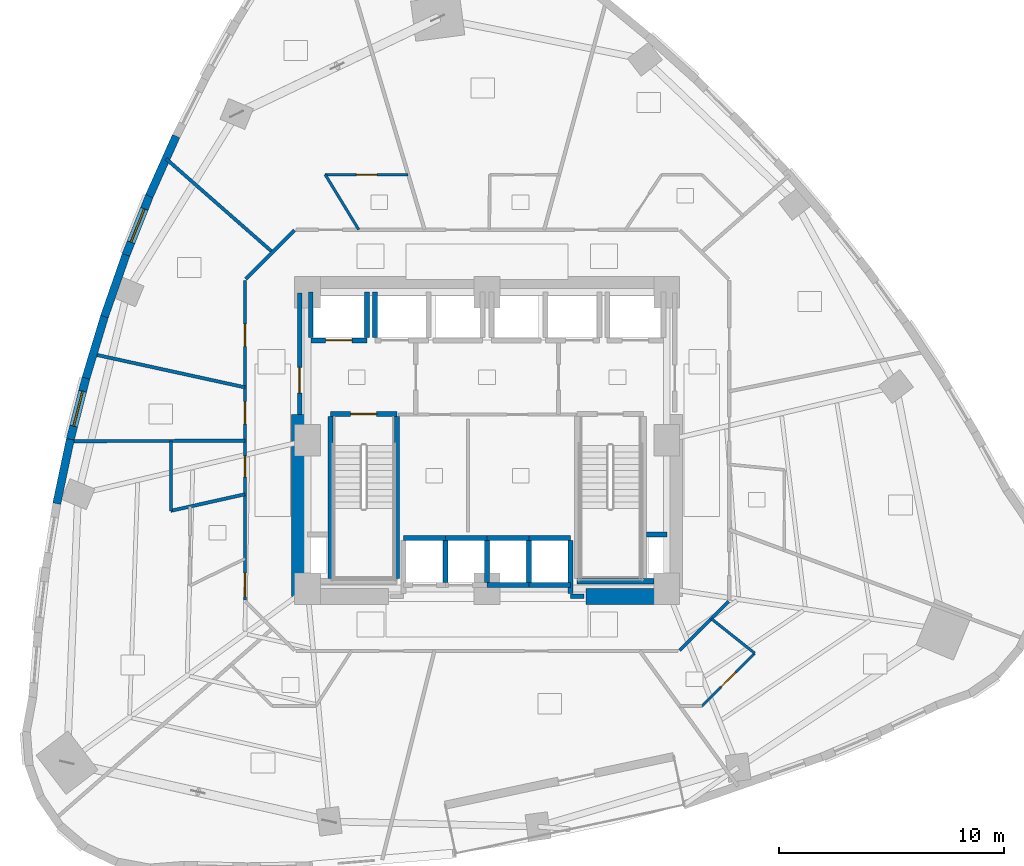
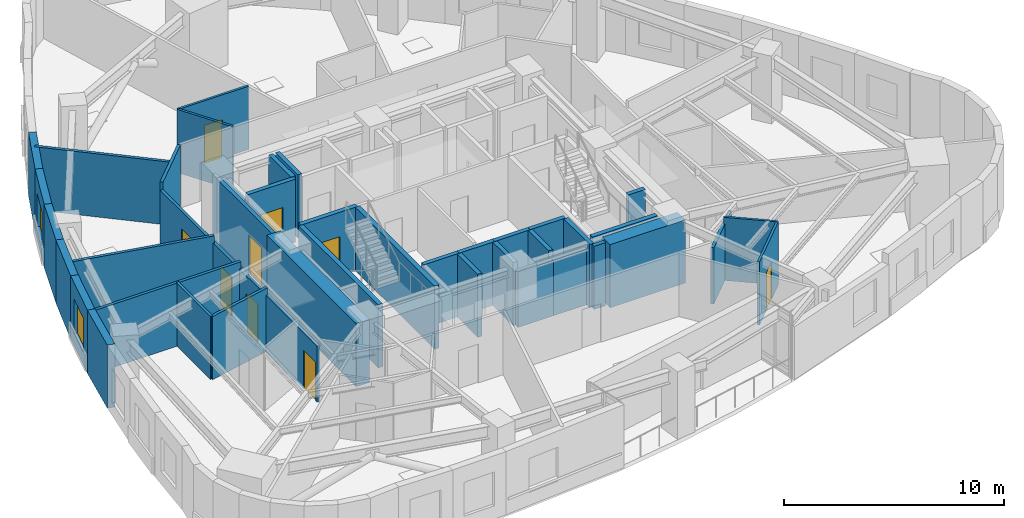
# One storey, part 6 of 12: 41 walls, 9 doors, 2 windows, 11 openings.
"""IFC4 building model written with IfcOpenShell, lengths in metres."""

from ifc_helpers import new_model, si_unit, direction, frame, frame_2d, origin, place, context, subcontext, project, spatial, rectangle, extrude, material, layer, layer_set, type_object, element, fill, save


model = new_model("IFC4")

# Units and contexts
model_context = context("Model", 3, precision=1e-05, world=origin(), true_north=direction((0.0, 1.0)))
body_context = subcontext(model_context, "Body", "Model", "MODEL_VIEW")
ifc_project = project(units=[si_unit("LENGTHUNIT", "METRE"), si_unit("AREAUNIT", "SQUARE_METRE"), si_unit("VOLUMEUNIT", "CUBIC_METRE"), si_unit("PLANEANGLEUNIT", "RADIAN"), si_unit("MASSUNIT", "GRAM", prefix="KILO")], contexts=[model_context])

# Site, building, storey
site_placement = place(None, origin())
site = spatial("IfcSite", under=ifc_project, at=site_placement, CompositionType="ELEMENT")
building_placement = place(site_placement, origin())
building = spatial("IfcBuilding", under=site, at=building_placement, Name="Ndelora Gate Hotel", CompositionType="ELEMENT")
storey_placement = place(building_placement, frame((0.0, 0.0, 71.75)))
storey = spatial("IfcBuildingStorey", under=building, at=storey_placement, Name="L17", CompositionType="ELEMENT", Elevation=71.75)

# Wall
ifc_material_1 = material(Name="Clay Brick Masonry", Category="masonry")
ifc_layer_1 = layer(ifc_material_1, 0.360107421875)
ifc_layer_set_1 = layer_set([ifc_layer_1], Name="Clay Brick Masonry")
wall_type_1 = type_object("IfcWallType", Name="WL-BRICK-360", PredefinedType="SOLIDWALL", material=ifc_layer_set_1)
wall_1_placement = place(storey_placement, frame((-15.038330078125, 10.87255859375, 0.0), z_axis=(0.0, 0.0, 1.0), x_axis=(0.408305664589, 0.912845268523, 0.0)))
element("IfcWall", 1, at=wall_1_placement, inside=storey, type_object=wall_type_1, Name="L17 Tower Brick Pier-and-Spandrel Wall TWR-12", PredefinedType="SOLIDWALL", context=body_context, shape_type="SweptSolid", body=[
    extrude(rectangle(XDim=2.925048828125, YDim=0.360107421875, at=frame_2d((1.46240234375, 0.0))), origin(), (0.0, 0.0, 1.0), 3.5),
])

# Wall, opening, window
wall_2_placement = place(storey_placement, frame((-16.09521484375, 8.209716796875, 0.0), z_axis=(0.0, 0.0, 1.0), x_axis=(0.369223403916, 0.929340668432, 0.0)))
wall_2 = element("IfcWall", 2, at=wall_2_placement, inside=storey, type_object=wall_type_1, Name="L17 Tower Brick Pier-and-Spandrel Wall TWR-13", PredefinedType="SOLIDWALL", context=body_context, shape_type="SweptSolid", body=[
    extrude(rectangle(XDim=2.914794921875, YDim=0.360107421875, at=frame_2d((1.45751953125, 0.0))), origin(), (0.0, 0.0, 1.0), 3.5),
])
opening_1_placement = place(wall_2_placement, frame((0.657470703125, 0.0, 0.719970703125)))
opening_1 = element("IfcOpeningElement", 3, at=opening_1_placement, cuts=wall_2, Name="Opening W03", PredefinedType="OPENING", context=body_context, shape_type="SweptSolid", body=[
    extrude(rectangle(XDim=1.60009765625, YDim=1.8798828125, at=frame_2d((0.800048828125, 0.93994140625))), frame((0.0, 0.18994140625, 0.0), z_axis=(0.0, -1.0, 0.0), x_axis=(1.0, 0.0, 0.0)), (0.0, 0.0, 1.0), 0.380126953125),
])
ifc_material_2 = material(Name="Insulated Low-E Double Glazing in Bronze Aluminium Frame", Category="aluminium")
window_type_1 = type_object("IfcWindowType", Name="WN-CORN-2100", PartitioningType="SINGLE_PANEL", PredefinedType="WINDOW", material=ifc_material_2)
window_1_placement = place(opening_1_placement, origin())
window_1 = element("IfcWindow", 4, at=window_1_placement, inside=storey, type_object=window_type_1, Name="L17 Deep-Set Brick-Pier Window W03", OverallHeight=1.8798828125, OverallWidth=1.60009765625, PartitioningType="SINGLE_PANEL", PredefinedType="WINDOW", context=body_context, shape_type="SweptSolid", body=[
    extrude(rectangle(XDim=1.60009765625, YDim=1.8798828125, at=frame_2d((0.800048828125, 0.93994140625))), frame((0.0, 0.030029296875, 0.0), z_axis=(0.0, -1.0, 0.0), x_axis=(1.0, 0.0, 0.0)), (0.0, 0.0, 1.0), 0.06005859375),
])
fill(opening_1, window_1)

# Walls
wall_3_placement = place(storey_placement, frame((-17.035888671875, 5.509033203125, 0.0), z_axis=(0.0, 0.0, 1.0), x_axis=(0.329262553332, 0.944238407911, 0.0)))
element("IfcWall", 5, at=wall_3_placement, inside=storey, type_object=wall_type_1, Name="L17 Tower Brick Pier-and-Spandrel Wall TWR-14", PredefinedType="SOLIDWALL", context=body_context, shape_type="SweptSolid", body=[
    extrude(rectangle(XDim=2.90966796875, YDim=0.360107421875, at=frame_2d((1.454833984375, 0.0))), origin(), (0.0, 0.0, 1.0), 3.5),
])
wall_4_placement = place(storey_placement, frame((-17.860107421875, 2.770751953125, 0.0), z_axis=(0.0, 0.0, 1.0), x_axis=(0.288579409527, 0.95745596473, 0.0)))
element("IfcWall", 6, at=wall_4_placement, inside=storey, type_object=wall_type_1, Name="L17 Tower Brick Pier-and-Spandrel Wall TWR-15", PredefinedType="SOLIDWALL", context=body_context, shape_type="SweptSolid", body=[
    extrude(rectangle(XDim=2.909423828125, YDim=0.360107421875, at=frame_2d((1.45458984375, 0.0))), origin(), (0.0, 0.0, 1.0), 3.5),
])

# Wall, opening, window
wall_5_placement = place(storey_placement, frame((-18.568359375, -0.00537109375, 0.0), z_axis=(0.0, 0.0, 1.0), x_axis=(0.247577302221, 0.968868143467, 0.0)))
wall_5 = element("IfcWall", 7, at=wall_5_placement, inside=storey, type_object=wall_type_1, Name="L17 Tower Brick Pier-and-Spandrel Wall TWR-16", PredefinedType="SOLIDWALL", context=body_context, shape_type="SweptSolid", body=[
    extrude(rectangle(XDim=2.9150390625, YDim=0.360107421875, at=frame_2d((1.45751953125, 0.0))), origin(), (0.0, 0.0, 1.0), 3.5),
])
opening_2_placement = place(wall_5_placement, frame((0.657470703125, 0.0, 0.719970703125)))
opening_2 = element("IfcOpeningElement", 8, at=opening_2_placement, cuts=wall_5, Name="Opening W01", PredefinedType="OPENING", context=body_context, shape_type="SweptSolid", body=[
    extrude(rectangle(XDim=1.60009765625, YDim=1.8798828125, at=frame_2d((0.800048828125, 0.93994140625))), frame((0.0, 0.18994140625, 0.0), z_axis=(0.0, -1.0, 0.0), x_axis=(1.0, 0.0, 0.0)), (0.0, 0.0, 1.0), 0.380126953125),
])
window_type_2 = type_object("IfcWindowType", Name="WN-DEEP-1600", PartitioningType="SINGLE_PANEL", PredefinedType="WINDOW", material=ifc_material_2)
window_2_placement = place(opening_2_placement, origin())
window_2 = element("IfcWindow", 9, at=window_2_placement, inside=storey, type_object=window_type_2, Name="L17 Deep-Set Brick-Pier Window W01", OverallHeight=1.8798828125, OverallWidth=1.60009765625, PartitioningType="SINGLE_PANEL", PredefinedType="WINDOW", context=body_context, shape_type="SweptSolid", body=[
    extrude(rectangle(XDim=1.60009765625, YDim=1.8798828125, at=frame_2d((0.800048828125, 0.93994140625))), frame((0.0, 0.030029296875, 0.0), z_axis=(0.0, -1.0, 0.0), x_axis=(1.0, 0.0, 0.0)), (0.0, 0.0, 1.0), 0.06005859375),
])
fill(opening_2, window_2)

# Walls
wall_6_placement = place(storey_placement, frame((-19.16015625, -2.819091796875, 0.0), z_axis=(0.0, 0.0, 1.0), x_axis=(0.206216567534, 0.978506375694, 0.0)))
element("IfcWall", 10, at=wall_6_placement, inside=storey, type_object=wall_type_1, Name="L17 Tower Brick Pier-and-Spandrel Wall TWR-17", PredefinedType="SOLIDWALL", context=body_context, shape_type="SweptSolid", body=[
    extrude(rectangle(XDim=2.925537109375, YDim=0.360107421875, at=frame_2d((1.462890625, 0.0))), origin(), (0.0, 0.0, 1.0), 3.5),
])
ifc_material_3 = material(Name="Concrete C60/75", Category="concrete")
ifc_layer_2 = layer(ifc_material_3, 0.699951171875)
ifc_layer_set_2 = layer_set([ifc_layer_2], Name="Concrete C60/75")
wall_type_2 = type_object("IfcWallType", Name="WL-CORE-700", PredefinedType="SHEAR", material=ifc_layer_set_2)
wall_7_placement = place(storey_placement, frame((4.39990234375, -6.949951171875, 0.0), z_axis=(0.0, 0.0, 1.0), x_axis=(1.0, 0.0, 0.0)))
element("IfcWall", 11, at=wall_7_placement, inside=storey, type_object=wall_type_2, Name="L17 Core Shear Wall S-E", PredefinedType="SHEAR", context=body_context, shape_type="SweptSolid", body=[
    extrude(rectangle(XDim=3.9501953125, YDim=0.699951171875, at=frame_2d((1.97509765625, 0.0))), origin(), (0.0, 0.0, 1.0), 3.5),
])
wall_8_placement = place(storey_placement, frame((-8.35009765625, -6.949951171875, 0.0), z_axis=(0.0, 0.0, 1.0), x_axis=(0.0, 1.0, 0.0)))
element("IfcWall", 12, at=wall_8_placement, inside=storey, type_object=wall_type_2, Name="L17 Core Shear Wall W", PredefinedType="SHEAR", context=body_context, shape_type="SweptSolid", body=[
    extrude(rectangle(XDim=8.099853515625, YDim=0.699951171875, at=frame_2d((4.0498046875, 0.0))), origin(), (0.0, 0.0, 1.0), 3.5),
])

# Wall, opening, door
ifc_material_4 = material(Name="Concrete C40/50", Category="concrete")
ifc_layer_3 = layer(ifc_material_4, 0.199951171875)
ifc_layer_set_3 = layer_set([ifc_layer_3], Name="Concrete C40/50")
wall_type_3 = type_object("IfcWallType", Name="WL-FIRE-200", PredefinedType="PARTITIONING", material=ifc_layer_set_3)
wall_9_placement = place(storey_placement, frame((-8.35009765625, 1.14990234375, 0.0), z_axis=(0.0, 0.0, 1.0), x_axis=(0.0, 1.0, 0.0)))
wall_9 = element("IfcWall", 13, at=wall_9_placement, inside=storey, type_object=wall_type_3, Name="L17 Interior Wall IW-2", PredefinedType="PARTITIONING", context=body_context, shape_type="SweptSolid", body=[
    extrude(rectangle(XDim=5.400146484375, YDim=0.199951171875, at=frame_2d((2.7001953125, 0.0))), origin(), (0.0, 0.0, 1.0), 3.5),
])
opening_3_placement = place(wall_9_placement, frame((0.949951171875, 0.0, 0.0)))
opening_3 = element("IfcOpeningElement", 14, at=opening_3_placement, cuts=wall_9, Name="Opening FD1", PredefinedType="OPENING", context=body_context, shape_type="SweptSolid", body=[
    extrude(rectangle(XDim=1.14990234375, YDim=2.14990234375, at=frame_2d((0.574951171875, 1.074951171875))), frame((0.0, 0.10986328125, 0.0), z_axis=(0.0, -1.0, 0.0), x_axis=(1.0, 0.0, 0.0)), (0.0, 0.0, 1.0), 0.219970703125),
])
ifc_material_5 = material(Name="Fire-Rated Timber-Veneer Steel Core", Category="steel")
door_type_1 = type_object("IfcDoorType", Name="DR-FD60", OperationType="SINGLE_SWING_LEFT", PredefinedType="DOOR", material=ifc_material_5)
door_1_placement = place(opening_3_placement, origin())
door_1 = element("IfcDoor", 15, at=door_1_placement, inside=storey, type_object=door_type_1, Name="L17 Firefighting Lobby West Corridor Door", OperationType="SINGLE_SWING_LEFT", OverallHeight=2.14990234375, OverallWidth=1.14990234375, PredefinedType="DOOR", context=body_context, shape_type="SweptSolid", body=[
    extrude(rectangle(XDim=1.14990234375, YDim=2.14990234375, at=frame_2d((0.574951171875, 1.074951171875))), frame((0.0, 0.02490234375, 0.0), z_axis=(0.0, -1.0, 0.0), x_axis=(1.0, 0.0, 0.0)), (0.0, 0.0, 1.0), 0.050048828125),
])
fill(opening_3, door_1)

# Walls
wall_10_placement = place(storey_placement, frame((3.719970703125, -6.949951171875, 0.0), z_axis=(0.0, 0.0, 1.0), x_axis=(1.0, 0.0, 0.0)))
element("IfcWall", 16, at=wall_10_placement, inside=storey, type_object=wall_type_3, Name="L17 Interior Wall IW-2", PredefinedType="PARTITIONING", context=body_context, shape_type="SweptSolid", body=[
    extrude(rectangle(XDim=0.60009765625, YDim=0.199951171875, at=frame_2d((0.300048828125, 0.0))), origin(), (0.0, 0.0, 1.0), 3.5),
])
ifc_material_6 = material(Name="Fire-Rated Gypsum Stud Partition", Category="gypsum")
ifc_layer_4 = layer(ifc_material_6, 0.14990234375)
ifc_layer_set_4 = layer_set([ifc_layer_4], Name="Fire-Rated Gypsum Stud Partition")
wall_type_4 = type_object("IfcWallType", Name="WL-PART-150", PredefinedType="PARTITIONING", material=ifc_layer_set_4)
wall_11_placement = place(storey_placement, frame((10.751708984375, -7.17822265625, 0.0), z_axis=(0.0, 0.0, 1.0), x_axis=(-0.707067066127, -0.707146494016, 0.0)))
element("IfcWall", 17, at=wall_11_placement, inside=storey, type_object=wall_type_4, Name="L17 Interior Wall IW-5", PredefinedType="PARTITIONING", context=body_context, shape_type="SweptSolid", body=[
    extrude(rectangle(XDim=3.07373046875, YDim=0.14990234375, at=frame_2d((1.536865234375, 0.0))), origin(), (0.0, 0.0, 1.0), 3.1201171875),
])
wall_12_placement = place(storey_placement, frame((-10.751708984375, 7.17822265625, 0.0), z_axis=(0.0, 0.0, 1.0), x_axis=(0.707067066127, 0.707146494016, 0.0)))
element("IfcWall", 18, at=wall_12_placement, inside=storey, type_object=wall_type_4, Name="L17 Interior Wall IW-5", PredefinedType="PARTITIONING", context=body_context, shape_type="SweptSolid", body=[
    extrude(rectangle(XDim=3.07373046875, YDim=0.14990234375, at=frame_2d((1.536865234375, 0.0))), origin(), (0.0, 0.0, 1.0), 3.5),
])

# Wall, openings, doors
wall_13_placement = place(storey_placement, frame((-10.780029296875, -7.110107421875, 0.0), z_axis=(0.0, 0.0, 1.0), x_axis=(0.0, 1.0, 0.0)))
wall_13 = element("IfcWall", 19, at=wall_13_placement, inside=storey, type_object=wall_type_4, Name="L17 Interior Wall IW-5", PredefinedType="PARTITIONING", context=body_context, shape_type="SweptSolid", body=[
    extrude(rectangle(XDim=14.22021484375, YDim=0.14990234375, at=frame_2d((7.110107421875, 0.0))), origin(), (0.0, 0.0, 1.0), 3.1201171875),
])
opening_4_placement = place(wall_13_placement, frame((5.470947265625, 0.0, 0.0)))
opening_4 = element("IfcOpeningElement", 20, at=opening_4_placement, cuts=wall_13, Name="Opening D05", PredefinedType="OPENING", context=body_context, shape_type="SweptSolid", body=[
    extrude(rectangle(XDim=0.949951171875, YDim=2.10009765625, at=frame_2d((0.47509765625, 1.050048828125))), frame((0.0, 0.0849609375, 0.0), z_axis=(0.0, -1.0, 0.0), x_axis=(1.0, 0.0, 0.0)), (0.0, 0.0, 1.0), 0.169921875),
])
opening_5_placement = place(wall_13_placement, frame((7.830322265625, 0.0, 0.0)))
opening_5 = element("IfcOpeningElement", 21, at=opening_5_placement, cuts=wall_13, Name="Opening D01", PredefinedType="OPENING", context=body_context, shape_type="SweptSolid", body=[
    extrude(rectangle(XDim=1.0, YDim=2.14990234375, at=frame_2d((0.5, 1.074951171875))), frame((0.0, 0.0849609375, 0.0), z_axis=(0.0, -1.0, 0.0), x_axis=(1.0, 0.0, 0.0)), (0.0, 0.0, 1.0), 0.169921875),
])
opening_6_placement = place(wall_13_placement, frame((11.294189453125, 0.0, 0.0)))
opening_6 = element("IfcOpeningElement", 22, at=opening_6_placement, cuts=wall_13, Name="Opening D01", PredefinedType="OPENING", context=body_context, shape_type="SweptSolid", body=[
    extrude(rectangle(XDim=1.0, YDim=2.14990234375, at=frame_2d((0.5, 1.074951171875))), frame((0.0, 0.0849609375, 0.0), z_axis=(0.0, -1.0, 0.0), x_axis=(1.0, 0.0, 0.0)), (0.0, 0.0, 1.0), 0.169921875),
])
opening_7_placement = place(wall_13_placement, frame((0.139892578125, 0.0, 0.0)))
opening_7 = element("IfcOpeningElement", 23, at=opening_7_placement, cuts=wall_13, Name="Opening D07", PredefinedType="OPENING", context=body_context, shape_type="SweptSolid", body=[
    extrude(rectangle(XDim=1.06005859375, YDim=2.14990234375, at=frame_2d((0.530029296875, 1.074951171875))), frame((0.0, 0.0849609375, 0.0), z_axis=(0.0, -1.0, 0.0), x_axis=(1.0, 0.0, 0.0)), (0.0, 0.0, 1.0), 0.169921875),
])
ifc_material_7 = material(Name="Accessible Restroom Wide-Clearance Door", Category="wood")
door_type_2 = type_object("IfcDoorType", Name="DR-ACC-950", OperationType="SINGLE_SWING_LEFT", PredefinedType="DOOR", material=ifc_material_7)
door_2_placement = place(opening_4_placement, origin())
door_2 = element("IfcDoor", 24, at=door_2_placement, inside=storey, type_object=door_type_2, Name="L17 Accessible WC Entrance Door", OperationType="SINGLE_SWING_RIGHT", OverallHeight=2.10009765625, OverallWidth=0.949951171875, PredefinedType="DOOR", context=body_context, shape_type="SweptSolid", body=[
    extrude(rectangle(XDim=0.949951171875, YDim=2.10009765625, at=frame_2d((0.47509765625, 1.050048828125))), frame((0.0, 0.02490234375, 0.0), z_axis=(0.0, -1.0, 0.0), x_axis=(1.0, 0.0, 0.0)), (0.0, 0.0, 1.0), 0.050048828125),
])
fill(opening_4, door_2)
ifc_material_8 = material(Name="Acoustic Hardwood Guest Entrance Door", Category="wood")
door_type_3 = type_object("IfcDoorType", Name="DR-COR-1000", OperationType="SINGLE_SWING_LEFT", PredefinedType="DOOR", material=ifc_material_8)
door_3_placement = place(opening_5_placement, origin())
door_3 = element("IfcDoor", 25, at=door_3_placement, inside=storey, type_object=door_type_3, Name="L17 Housekeeping and Linen Room Entrance Door", OperationType="SINGLE_SWING_LEFT", OverallHeight=2.14990234375, OverallWidth=1.0, PredefinedType="DOOR", context=body_context, shape_type="SweptSolid", body=[
    extrude(rectangle(XDim=1.0, YDim=2.14990234375, at=frame_2d((0.5, 1.074951171875))), frame((0.0, 0.02490234375, 0.0), z_axis=(0.0, -1.0, 0.0), x_axis=(1.0, 0.0, 0.0)), (0.0, 0.0, 1.0), 0.050048828125),
])
fill(opening_5, door_3)
door_4_placement = place(opening_6_placement, origin())
door_4 = element("IfcDoor", 26, at=door_4_placement, inside=storey, type_object=door_type_3, Name="L17 Espresso Cocktail Bar Entrance Door", OperationType="SINGLE_SWING_RIGHT", OverallHeight=2.14990234375, OverallWidth=1.0, PredefinedType="DOOR", context=body_context, shape_type="SweptSolid", body=[
    extrude(rectangle(XDim=1.0, YDim=2.14990234375, at=frame_2d((0.5, 1.074951171875))), frame((0.0, 0.02490234375, 0.0), z_axis=(0.0, -1.0, 0.0), x_axis=(1.0, 0.0, 0.0)), (0.0, 0.0, 1.0), 0.050048828125),
])
fill(opening_6, door_4)
ifc_material_9 = material(Name="Diplomatic Suite Acoustic Entrance Door", Category="wood")
door_type_4 = type_object("IfcDoorType", Name="DR-SUITE-1060", OperationType="SINGLE_SWING_LEFT", PredefinedType="DOOR", material=ifc_material_9)
door_5_placement = place(opening_7_placement, origin())
door_5 = element("IfcDoor", 27, at=door_5_placement, inside=storey, type_object=door_type_4, Name="L17 Two-Bay Diplomatic Suite 2001 Entrance Door", OperationType="SINGLE_SWING_RIGHT", OverallHeight=2.14990234375, OverallWidth=1.06005859375, PredefinedType="DOOR", context=body_context, shape_type="SweptSolid", body=[
    extrude(rectangle(XDim=1.06005859375, YDim=2.14990234375, at=frame_2d((0.530029296875, 1.074951171875))), frame((0.0, 0.02490234375, 0.0), z_axis=(0.0, -1.0, 0.0), x_axis=(1.0, 0.0, 0.0)), (0.0, 0.0, 1.0), 0.050048828125),
])
fill(opening_7, door_5)

# Walls
wall_14_placement = place(storey_placement, frame((-10.780029296875, -2.40283203125, 0.0), z_axis=(0.0, 0.0, 1.0), x_axis=(-0.976045834457, -0.217564999572, 0.0)))
element("IfcWall", 28, at=wall_14_placement, inside=storey, type_object=wall_type_4, Name="L17 Interior Wall IW-5", PredefinedType="PARTITIONING", context=body_context, shape_type="SweptSolid", body=[
    extrude(rectangle(XDim=3.381103515625, YDim=0.14990234375, at=frame_2d((1.6904296875, 0.0))), origin(), (0.0, 0.0, 1.0), 3.5),
])
wall_15_placement = place(storey_placement, frame((-9.552490234375, 8.37744140625, 0.0), z_axis=(0.0, 0.0, 1.0), x_axis=(-0.751832839007, 0.659353761034, 0.0)))
element("IfcWall", 29, at=wall_15_placement, inside=storey, type_object=wall_type_4, Name="L17 Interior Wall IW-5", PredefinedType="PARTITIONING", context=body_context, shape_type="SweptSolid", body=[
    extrude(rectangle(XDim=6.306884765625, YDim=0.14990234375, at=frame_2d((3.1533203125, 0.0))), origin(), (0.0, 0.0, 1.0), 3.5),
])
wall_16_placement = place(storey_placement, frame((-10.780029296875, 2.358154296875, 0.0), z_axis=(0.0, 0.0, 1.0), x_axis=(-0.97689172926, 0.213734763911, 0.0)))
element("IfcWall", 30, at=wall_16_placement, inside=storey, type_object=wall_type_4, Name="L17 Interior Wall IW-5", PredefinedType="PARTITIONING", context=body_context, shape_type="SweptSolid", body=[
    extrude(rectangle(XDim=6.918701171875, YDim=0.14990234375, at=frame_2d((3.45947265625, 0.0))), origin(), (0.0, 0.0, 1.0), 3.5),
])
wall_17_placement = place(storey_placement, frame((-10.780029296875, -0.021240234375, 0.0), z_axis=(0.0, 0.0, 1.0), x_axis=(-0.999998052657, -0.001973494888, 0.0)))
element("IfcWall", 31, at=wall_17_placement, inside=storey, type_object=wall_type_4, Name="L17 Interior Wall IW-5", PredefinedType="PARTITIONING", context=body_context, shape_type="SweptSolid", body=[
    extrude(rectangle(XDim=7.793701171875, YDim=0.14990234375, at=frame_2d((3.89697265625, 0.0))), origin(), (0.0, 0.0, 1.0), 3.5),
])
ifc_layer_5 = layer(ifc_material_4, 0.219970703125)
ifc_layer_set_5 = layer_set([ifc_layer_5], Name="Concrete C40/50")
wall_type_5 = type_object("IfcWallType", Name="WL-SHAFT-220", PredefinedType="PARTITIONING", material=ifc_layer_set_5)
wall_18_placement = place(storey_placement, frame((7.090087890625, -4.199951171875, 0.0), z_axis=(0.0, 0.0, 1.0), x_axis=(1.0, 0.0, 0.0)))
element("IfcWall", 32, at=wall_18_placement, inside=storey, type_object=wall_type_5, Name="L17 Interior Wall IW-1", PredefinedType="PARTITIONING", context=body_context, shape_type="SweptSolid", body=[
    extrude(rectangle(XDim=0.909912109375, YDim=0.219970703125, at=frame_2d((0.455078125, 0.0))), origin(), (0.0, 0.0, 1.0), 3.5),
])

# Wall, opening, door
wall_19_placement = place(storey_placement, frame((-7.85009765625, 4.449951171875, 0.0), z_axis=(0.0, 0.0, 1.0), x_axis=(1.0, 0.0, 0.0)))
wall_19 = element("IfcWall", 33, at=wall_19_placement, inside=storey, type_object=wall_type_5, Name="L17 Interior Wall IW-1", PredefinedType="PARTITIONING", context=body_context, shape_type="SweptSolid", body=[
    extrude(rectangle(XDim=2.5, YDim=0.219970703125, at=frame_2d((1.25, 0.0))), origin(), (0.0, 0.0, 1.0), 3.5),
])
opening_8_placement = place(wall_19_placement, frame((0.659912109375, 0.0, 0.0)))
opening_8 = element("IfcOpeningElement", 34, at=opening_8_placement, cuts=wall_19, Name="Opening LD5", PredefinedType="OPENING", context=body_context, shape_type="SweptSolid", body=[
    extrude(rectangle(XDim=1.179931640625, YDim=2.14990234375, at=frame_2d((0.58984375, 1.074951171875))), frame((0.0, 0.1201171875, 0.0), z_axis=(0.0, -1.0, 0.0), x_axis=(1.0, 0.0, 0.0)), (0.0, 0.0, 1.0), 0.239990234375),
])
ifc_material_10 = material(Name="Firefighting Lift Stainless Sliding Landing Door", Category="metal")
door_type_5 = type_object("IfcDoorType", Name="DR-LD5", OperationType="DOUBLE_DOOR_SLIDING", PredefinedType="DOOR", material=ifc_material_10)
door_6_placement = place(opening_8_placement, origin())
door_6 = element("IfcDoor", 35, at=door_6_placement, inside=storey, type_object=door_type_5, Name="L17 Lift Landing Sliding Door FFL1", OperationType="DOUBLE_DOOR_SLIDING", OverallHeight=2.14990234375, OverallWidth=1.179931640625, PredefinedType="DOOR", context=body_context, shape_type="SweptSolid", body=[
    extrude(rectangle(XDim=1.179931640625, YDim=2.14990234375, at=frame_2d((0.58984375, 1.074951171875))), frame((0.0, 0.02490234375, 0.0), z_axis=(0.0, -1.0, 0.0), x_axis=(1.0, 0.0, 0.0)), (0.0, 0.0, 1.0), 0.050048828125),
])
fill(opening_8, door_6)

# Walls
wall_20_placement = place(storey_placement, frame((-7.85009765625, 4.570068359375, 0.0), z_axis=(0.0, 0.0, 1.0), x_axis=(0.0, 1.0, 0.0)))
element("IfcWall", 36, at=wall_20_placement, inside=storey, type_object=wall_type_5, Name="L17 Interior Wall IW-1", PredefinedType="PARTITIONING", context=body_context, shape_type="SweptSolid", body=[
    extrude(rectangle(XDim=2.030029296875, YDim=0.219970703125, at=frame_2d((1.01513671875, 0.0))), origin(), (0.0, 0.0, 1.0), 3.080078125),
])
for number, where, z_axis, x_axis, name in (
    (37, (-5.35009765625, 4.570068359375, 0.0), (0.0, 0.0, 1.0), (0.0, 1.0, 0.0), "L17 Interior Wall IW-1"),
    (38, (-5.0, 4.570068359375, 0.0), (0.0, 0.0, 1.0), (0.0, 1.0, 0.0), "L17 Interior Wall IW-1"),
):
    element("IfcWall", number, at=place(storey_placement, frame(where, z_axis=z_axis, x_axis=x_axis)), inside=storey, type_object=wall_type_5, Name=name, PredefinedType="PARTITIONING", context=body_context, shape_type="SweptSolid", body=[
        extrude(rectangle(XDim=2.030029296875, YDim=0.219970703125, at=frame_2d((1.01513671875, 0.0))), origin(), (0.0, 0.0, 1.0), 3.5),
    ])
wall_21_placement = place(storey_placement, frame((-3.719970703125, -4.35009765625, 0.0), z_axis=(0.0, 0.0, 1.0), x_axis=(1.0, 0.0, 0.0)))
element("IfcWall", 39, at=wall_21_placement, inside=storey, type_object=wall_type_5, Name="L17 Interior Wall IW-1", PredefinedType="PARTITIONING", context=body_context, shape_type="SweptSolid", body=[
    extrude(rectangle(XDim=1.85986328125, YDim=0.219970703125, at=frame_2d((0.929931640625, 0.0))), origin(), (0.0, 0.0, 1.0), 3.5),
])
for number, where, z_axis, x_axis, name in (
    (40, (-1.860107421875, -6.330078125, 0.0), (0.0, 0.0, 1.0), (0.0, 1.0, 0.0), "L17 Interior Wall IW-1"),
    (41, (-1.860107421875, -4.35009765625, 0.0), (0.0, 0.0, 1.0), (1.0, 0.0, 0.0), "L17 Interior Wall IW-1"),
    (42, (0.0, -6.330078125, 0.0), (0.0, 0.0, 1.0), (0.0, 1.0, 0.0), "L17 Interior Wall IW-1"),
):
    element("IfcWall", number, at=place(storey_placement, frame(where, z_axis=z_axis, x_axis=x_axis)), inside=storey, type_object=wall_type_5, Name=name, PredefinedType="PARTITIONING", context=body_context, shape_type="SweptSolid", body=[
        extrude(rectangle(XDim=1.860107421875, YDim=0.219970703125, at=frame_2d((0.93017578125, 0.0))), origin(), (0.0, 0.0, 1.0), 3.5),
    ])
wall_22_placement = place(storey_placement, frame((0.0, -6.449951171875, 0.0), z_axis=(0.0, 0.0, 1.0), x_axis=(1.0, 0.0, 0.0)))
element("IfcWall", 43, at=wall_22_placement, inside=storey, type_object=wall_type_5, Name="L17 Interior Wall IW-1", PredefinedType="PARTITIONING", context=body_context, shape_type="SweptSolid", body=[
    extrude(rectangle(XDim=1.860107421875, YDim=0.219970703125, at=frame_2d((0.93017578125, 0.0))), origin(), (0.0, 0.0, 1.0), 3.080078125),
])
for number, where, z_axis, x_axis, name in (
    (44, (0.0, -4.35009765625, 0.0), (0.0, 0.0, 1.0), (1.0, 0.0, 0.0), "L17 Interior Wall IW-1"),
    (45, (1.860107421875, -6.330078125, 0.0), (0.0, 0.0, 1.0), (0.0, 1.0, 0.0), "L17 Interior Wall IW-1"),
):
    element("IfcWall", number, at=place(storey_placement, frame(where, z_axis=z_axis, x_axis=x_axis)), inside=storey, type_object=wall_type_5, Name=name, PredefinedType="PARTITIONING", context=body_context, shape_type="SweptSolid", body=[
        extrude(rectangle(XDim=1.860107421875, YDim=0.219970703125, at=frame_2d((0.93017578125, 0.0))), origin(), (0.0, 0.0, 1.0), 3.5),
    ])
wall_23_placement = place(storey_placement, frame((1.860107421875, -6.449951171875, 0.0), z_axis=(0.0, 0.0, 1.0), x_axis=(1.0, 0.0, 0.0)))
element("IfcWall", 46, at=wall_23_placement, inside=storey, type_object=wall_type_5, Name="L17 Interior Wall IW-1", PredefinedType="PARTITIONING", context=body_context, shape_type="SweptSolid", body=[
    extrude(rectangle(XDim=1.85986328125, YDim=0.219970703125, at=frame_2d((0.929931640625, 0.0))), origin(), (0.0, 0.0, 1.0), 3.080078125),
])
wall_24_placement = place(storey_placement, frame((1.860107421875, -4.35009765625, 0.0), z_axis=(0.0, 0.0, 1.0), x_axis=(1.0, 0.0, 0.0)))
element("IfcWall", 47, at=wall_24_placement, inside=storey, type_object=wall_type_5, Name="L17 Interior Wall IW-1", PredefinedType="PARTITIONING", context=body_context, shape_type="SweptSolid", body=[
    extrude(rectangle(XDim=1.85986328125, YDim=0.219970703125, at=frame_2d((0.929931640625, 0.0))), origin(), (0.0, 0.0, 1.0), 3.5),
])
wall_25_placement = place(storey_placement, frame((3.719970703125, -6.830078125, 0.0), z_axis=(0.0, 0.0, 1.0), x_axis=(0.0, 1.0, 0.0)))
element("IfcWall", 48, at=wall_25_placement, inside=storey, type_object=wall_type_5, Name="L17 Interior Wall IW-1", PredefinedType="PARTITIONING", context=body_context, shape_type="SweptSolid", body=[
    extrude(rectangle(XDim=2.360107421875, YDim=0.219970703125, at=frame_2d((1.18017578125, 0.0))), origin(), (0.0, 0.0, 1.0), 3.5),
])
ifc_material_11 = material(Name="Concrete C50/60", Category="concrete")
ifc_layer_6 = layer(ifc_material_11, 0.239990234375)
ifc_layer_set_6 = layer_set([ifc_layer_6], Name="Concrete C50/60")
wall_type_6 = type_object("IfcWallType", Name="WL-STAIR-240", PredefinedType="SHEAR", material=ifc_layer_set_6)
for number, where, z_axis, x_axis, name in (
    (49, (-6.969970703125, -6.159912109375, 0.0), (0.0, 0.0, 1.0), (0.0, 1.0, 0.0), "L17 Stair Core Shear Wall SW-ST"),
    (50, (-4.010009765625, -6.159912109375, 0.0), (0.0, 0.0, 1.0), (0.0, 1.0, 0.0), "L17 Stair Core Shear Wall SW-ST"),
):
    element("IfcWall", number, at=place(storey_placement, frame(where, z_axis=z_axis, x_axis=x_axis)), inside=storey, type_object=wall_type_6, Name=name, PredefinedType="SHEAR", context=body_context, shape_type="SweptSolid", body=[
        extrude(rectangle(XDim=7.219970703125, YDim=0.239990234375, at=frame_2d((3.60986328125, 0.0))), origin(), (0.0, 0.0, 1.0), 3.5),
    ])

# Wall, opening, door
wall_26_placement = place(storey_placement, frame((-6.969970703125, 1.169921875, 0.0), z_axis=(0.0, 0.0, 1.0), x_axis=(1.0, 0.0, 0.0)))
wall_26 = element("IfcWall", 51, at=wall_26_placement, inside=storey, type_object=wall_type_6, Name="L17 Stair Core Shear Wall SW-ST", PredefinedType="SHEAR", context=body_context, shape_type="SweptSolid", body=[
    extrude(rectangle(XDim=2.9599609375, YDim=0.239990234375, at=frame_2d((1.47998046875, 0.0))), origin(), (0.0, 0.0, 1.0), 3.5),
])
opening_9_placement = place(wall_26_placement, frame((0.89990234375, 0.0, 0.0)))
opening_9 = element("IfcOpeningElement", 52, at=opening_9_placement, cuts=wall_26, Name="Opening FD1", PredefinedType="OPENING", context=body_context, shape_type="SweptSolid", body=[
    extrude(rectangle(XDim=1.14990234375, YDim=2.14990234375, at=frame_2d((0.574951171875, 1.074951171875))), frame((0.0, 0.1298828125, 0.0), z_axis=(0.0, -1.0, 0.0), x_axis=(1.0, 0.0, 0.0)), (0.0, 0.0, 1.0), 0.260009765625),
])
door_7_placement = place(opening_9_placement, origin())
door_7 = element("IfcDoor", 53, at=door_7_placement, inside=storey, type_object=door_type_1, Name="L17 Exit Stair ST4 Door", OperationType="SINGLE_SWING_LEFT", OverallHeight=2.14990234375, OverallWidth=1.14990234375, PredefinedType="DOOR", context=body_context, shape_type="SweptSolid", body=[
    extrude(rectangle(XDim=1.14990234375, YDim=2.14990234375, at=frame_2d((0.574951171875, 1.074951171875))), frame((0.0, 0.02490234375, 0.0), z_axis=(0.0, -1.0, 0.0), x_axis=(1.0, 0.0, 0.0)), (0.0, 0.0, 1.0), 0.050048828125),
])
fill(opening_9, door_7)

# Walls
wall_27_placement = place(storey_placement, frame((4.010009765625, -6.27001953125, 0.0), z_axis=(0.0, 0.0, 1.0), x_axis=(1.0, 0.0, 0.0)))
element("IfcWall", 54, at=wall_27_placement, inside=storey, type_object=wall_type_6, Name="L17 Stair Core Shear Wall SW-ST", PredefinedType="SHEAR", context=body_context, shape_type="SweptSolid", body=[
    extrude(rectangle(XDim=3.4150390625, YDim=0.239990234375, at=frame_2d((1.70751953125, 0.0))), origin(), (0.0, 0.0, 1.0), 3.5),
])
ifc_material_12 = material(Name="Moisture-Resistant Bathroom Tile Partition", Category="gypsum")
ifc_layer_7 = layer(ifc_material_12, 0.1201171875)
ifc_layer_set_7 = layer_set([ifc_layer_7], Name="Moisture-Resistant Bathroom Tile Partition")
wall_type_7 = type_object("IfcWallType", Name="WL-WET-120", PredefinedType="PARTITIONING", material=ifc_layer_set_7)
wall_28_placement = place(storey_placement, frame((9.985107421875, -7.94482421875, 0.0), z_axis=(0.0, 0.0, 1.0), x_axis=(0.782479351314, -0.622676533015, 0.0)))
element("IfcWall", 55, at=wall_28_placement, inside=storey, type_object=wall_type_7, Name="L17 Interior Wall IW-7", PredefinedType="PARTITIONING", context=body_context, shape_type="SweptSolid", body=[
    extrude(rectangle(XDim=2.4658203125, YDim=0.1201171875, at=frame_2d((1.23291015625, 0.0))), origin(), (0.0, 0.0, 1.0), 3.5),
])

# Wall, opening, door
wall_29_placement = place(storey_placement, frame((11.91455078125, -9.480224609375, 0.0), z_axis=(0.0, 0.0, 1.0), x_axis=(-0.707106781187, -0.707106781187, 0.0)))
wall_29 = element("IfcWall", 56, at=wall_29_placement, inside=storey, type_object=wall_type_7, Name="L17 Interior Wall IW-7", PredefinedType="PARTITIONING", context=body_context, shape_type="SweptSolid", body=[
    extrude(rectangle(XDim=3.3232421875, YDim=0.1201171875, at=frame_2d((1.66162109375, 0.0))), origin(), (0.0, 0.0, 1.0), 3.5),
])
opening_10_placement = place(wall_29_placement, frame((1.20166015625, 0.0, 0.0)))
opening_10 = element("IfcOpeningElement", 57, at=opening_10_placement, cuts=wall_29, Name="Opening D03", PredefinedType="OPENING", context=body_context, shape_type="SweptSolid", body=[
    extrude(rectangle(XDim=0.919921875, YDim=2.10009765625, at=frame_2d((0.4599609375, 1.050048828125))), frame((0.0, 0.070068359375, 0.0), z_axis=(0.0, -1.0, 0.0), x_axis=(1.0, 0.0, 0.0)), (0.0, 0.0, 1.0), 0.14013671875),
])
ifc_material_13 = material(Name="Moisture-Resistant Hardwood En-Suite Door", Category="wood")
door_type_6 = type_object("IfcDoorType", Name="DR-BATH-920", OperationType="SINGLE_SWING_LEFT", PredefinedType="DOOR", material=ifc_material_13)
door_8_placement = place(opening_10_placement, origin())
door_8 = element("IfcDoor", 58, at=door_8_placement, inside=storey, type_object=door_type_6, Name="L17 En-suite Bathroom 2003 Door", OperationType="SINGLE_SWING_RIGHT", OverallHeight=2.10009765625, OverallWidth=0.919921875, PredefinedType="DOOR", context=body_context, shape_type="SweptSolid", body=[
    extrude(rectangle(XDim=0.919921875, YDim=2.10009765625, at=frame_2d((0.4599609375, 1.050048828125))), frame((0.0, 0.02490234375, 0.0), z_axis=(0.0, -1.0, 0.0), x_axis=(1.0, 0.0, 0.0)), (0.0, 0.0, 1.0), 0.050048828125),
])
fill(opening_10, door_8)

# Wall
wall_30_placement = place(storey_placement, frame((-7.206787109375, 11.830078125, 0.0), z_axis=(0.0, 0.0, 1.0), x_axis=(0.520203390889, -0.854042406504, 0.0)))
element("IfcWall", 59, at=wall_30_placement, inside=storey, type_object=wall_type_7, Name="L17 Interior Wall IW-7", PredefinedType="PARTITIONING", context=body_context, shape_type="SweptSolid", body=[
    extrude(rectangle(XDim=2.868896484375, YDim=0.1201171875, at=frame_2d((1.4345703125, 0.0))), origin(), (0.0, 0.0, 1.0), 3.5),
])

# Wall, opening, door
wall_31_placement = place(storey_placement, frame((-7.206787109375, 11.830078125, 0.0), z_axis=(0.0, 0.0, 1.0), x_axis=(1.0, 0.0, 0.0)))
wall_31 = element("IfcWall", 60, at=wall_31_placement, inside=storey, type_object=wall_type_7, Name="L17 Interior Wall IW-7", PredefinedType="PARTITIONING", context=body_context, shape_type="SweptSolid", body=[
    extrude(rectangle(XDim=3.6962890625, YDim=0.1201171875, at=frame_2d((1.84814453125, 0.0))), origin(), (0.0, 0.0, 1.0), 3.5),
])
opening_11_placement = place(wall_31_placement, frame((1.38818359375, 0.0, 0.0)))
opening_11 = element("IfcOpeningElement", 61, at=opening_11_placement, cuts=wall_31, Name="Opening D03", PredefinedType="OPENING", context=body_context, shape_type="SweptSolid", body=[
    extrude(rectangle(XDim=0.919921875, YDim=2.10009765625, at=frame_2d((0.4599609375, 1.050048828125))), frame((0.0, 0.070068359375, 0.0), z_axis=(0.0, -1.0, 0.0), x_axis=(1.0, 0.0, 0.0)), (0.0, 0.0, 1.0), 0.14013671875),
])
door_9_placement = place(opening_11_placement, origin())
door_9 = element("IfcDoor", 62, at=door_9_placement, inside=storey, type_object=door_type_6, Name="L17 En-suite Bathroom 2007 Door", OperationType="SINGLE_SWING_RIGHT", OverallHeight=2.10009765625, OverallWidth=0.919921875, PredefinedType="DOOR", context=body_context, shape_type="SweptSolid", body=[
    extrude(rectangle(XDim=0.919921875, YDim=2.10009765625, at=frame_2d((0.4599609375, 1.050048828125))), frame((0.0, 0.02490234375, 0.0), z_axis=(0.0, -1.0, 0.0), x_axis=(1.0, 0.0, 0.0)), (0.0, 0.0, 1.0), 0.050048828125),
])
fill(opening_11, door_9)

# Wall
ifc_material_14 = material(Name="Moisture-Resistant Fire-Rated Tile Partition", Category="gypsum")
ifc_layer_8 = layer(ifc_material_14, 0.1298828125)
ifc_layer_set_8 = layer_set([ifc_layer_8], Name="Moisture-Resistant Fire-Rated Tile Partition")
wall_type_8 = type_object("IfcWallType", Name="WL-WET-RATED", PredefinedType="PARTITIONING", material=ifc_layer_set_8)
wall_32_placement = place(storey_placement, frame((-14.080078125, -3.138427734375, 0.0), z_axis=(0.0, 0.0, 1.0), x_axis=(0.0, 1.0, 0.0)))
element("IfcWall", 63, at=wall_32_placement, inside=storey, type_object=wall_type_8, Name="L17 Interior Wall IW-6", PredefinedType="PARTITIONING", context=body_context, shape_type="SweptSolid", body=[
    extrude(rectangle(XDim=3.110595703125, YDim=0.1298828125, at=frame_2d((1.55517578125, 0.0))), origin(), (0.0, 0.0, 1.0), 3.5),
])

save(model, "model.ifc")
